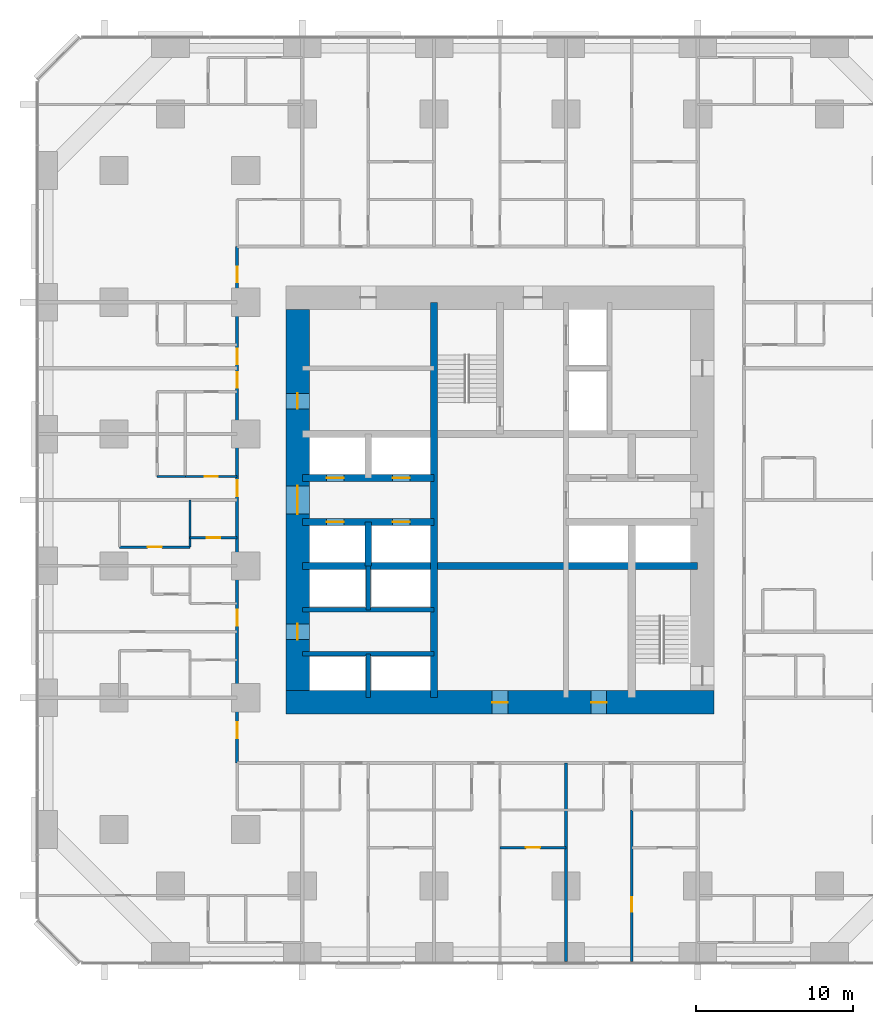
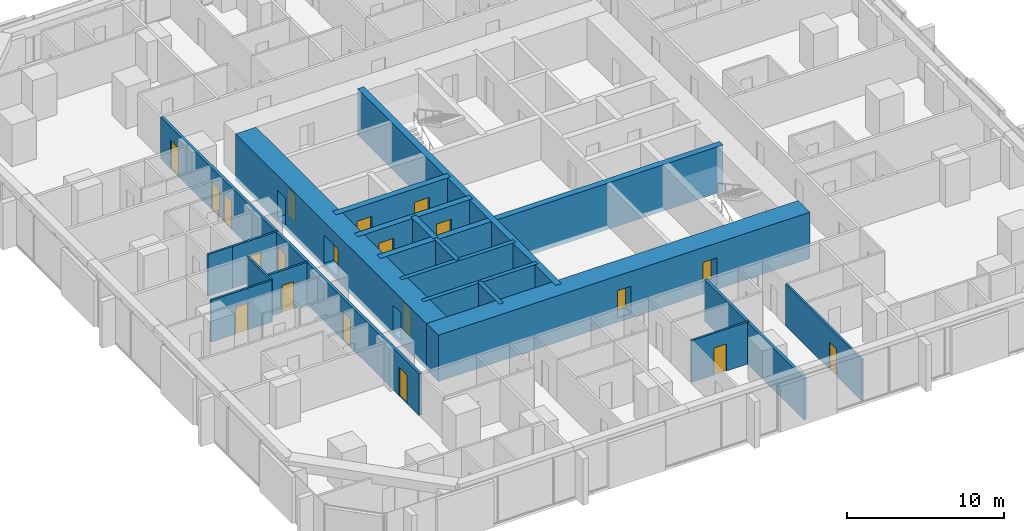
# One storey, part 12 of 17: 20 doors, 20 walls, 20 openings.
"""IFC4 building model written with IfcOpenShell, lengths in metres."""

from ifc_helpers import new_model, si_unit, direction, frame, frame_2d, origin, place, context, subcontext, project, spatial, rectangle, extrude, material, layer, layer_set, type_object, element, fill, save


model = new_model("IFC4")

# Units and contexts
model_context = context("Model", 3, precision=1e-05, world=origin(), true_north=direction((0.0, 1.0)))
body_context = subcontext(model_context, "Body", "Model", "MODEL_VIEW")
ifc_project = project(units=[si_unit("LENGTHUNIT", "METRE"), si_unit("AREAUNIT", "SQUARE_METRE"), si_unit("VOLUMEUNIT", "CUBIC_METRE"), si_unit("PLANEANGLEUNIT", "RADIAN"), si_unit("MASSUNIT", "GRAM", prefix="KILO")], contexts=[model_context])

# Site, building, storey
site_placement = place(None, origin())
site = spatial("IfcSite", under=ifc_project, at=site_placement, CompositionType="ELEMENT")
building_placement = place(site_placement, origin())
building = spatial("IfcBuilding", under=site, at=building_placement, Name="Dunama Terrace Hotel", CompositionType="ELEMENT")
storey_placement = place(building_placement, frame((0.0, 0.0, 52.199951171875)))
storey = spatial("IfcBuildingStorey", under=building, at=storey_placement, Name="L12", CompositionType="ELEMENT", Elevation=52.199951171875)

# Wall, opening, door
ifc_material_1 = material(Name="Gypsum board partition", Category="masonry")
ifc_layer_1 = layer(ifc_material_1, 0.14990234375)
ifc_layer_set_1 = layer_set([ifc_layer_1], Name="Bathroom partition 150")
wall_type_1 = type_object("IfcWallType", Name="Bathroom partition 150", PredefinedType="PARTITIONING", material=ifc_layer_set_1)
wall_1_placement = place(storey_placement, frame((9.64990234375, 27.0, 0.0), z_axis=(0.0, 0.0, 1.0), x_axis=(1.0, 0.0, 0.0)))
wall_1 = element("IfcWall", 1, at=wall_1_placement, inside=storey, type_object=wall_type_1, Name="Bathroom partition 150 L12", PredefinedType="PARTITIONING", context=body_context, shape_type="SweptSolid", body=[
    extrude(rectangle(XDim=3.0, YDim=0.14990234375, at=frame_2d((1.5, 0.0))), origin(), (0.0, 0.0, 1.0), 3.25),
])
opening_1_placement = place(wall_1_placement, frame((1.074951171875, 0.0, 0.0)))
opening_1 = element("IfcOpeningElement", 2, at=opening_1_placement, cuts=wall_1, Name="Opening L12-053", PredefinedType="OPENING", context=body_context, shape_type="SweptSolid", body=[
    extrude(rectangle(XDim=0.85009765625, YDim=2.10009765625, at=frame_2d((0.425048828125, 1.050048828125))), frame((0.0, 0.0849609375, 0.0), z_axis=(0.0, -1.0, 0.0), x_axis=(1.0, 0.0, 0.0)), (0.0, 0.0, 1.0), 0.169921875),
])
ifc_material_2 = material(Name="Timber door with steel frame", Category="steel")
door_type_1 = type_object("IfcDoorType", Name="Bathroom door 850", OperationType="SINGLE_SWING_LEFT", PredefinedType="DOOR", material=ifc_material_2)
door_1_placement = place(opening_1_placement, origin())
door_1 = element("IfcDoor", 3, at=door_1_placement, inside=storey, type_object=door_type_1, Name="Door to en-suite bathroom L12-053, type D2", OperationType="SINGLE_SWING_RIGHT", OverallHeight=2.10009765625, OverallWidth=0.85009765625, PredefinedType="DOOR", context=body_context, shape_type="SweptSolid", body=[
    extrude(rectangle(XDim=0.85009765625, YDim=2.10009765625, at=frame_2d((0.425048828125, 1.050048828125))), frame((0.0, 0.02490234375, 0.0), z_axis=(0.0, -1.0, 0.0), x_axis=(1.0, 0.0, 0.0)), (0.0, 0.0, 1.0), 0.050048828125),
])
fill(opening_1, door_1)

wall_2_placement = place(storey_placement, frame((9.35009765625, 30.89990234375, 0.0), z_axis=(0.0, 0.0, 1.0), x_axis=(1.0, 0.0, 0.0)))
wall_2 = element("IfcWall", 4, at=wall_2_placement, inside=storey, type_object=wall_type_1, Name="Bathroom partition 150 L12", PredefinedType="PARTITIONING", context=body_context, shape_type="SweptSolid", body=[
    extrude(rectangle(XDim=3.2998046875, YDim=0.14990234375, at=frame_2d((1.64990234375, 0.0))), origin(), (0.0, 0.0, 1.0), 3.25),
])
opening_2_placement = place(wall_2_placement, frame((1.22509765625, 0.0, 0.0)))
opening_2 = element("IfcOpeningElement", 5, at=opening_2_placement, cuts=wall_2, Name="Opening L12-059", PredefinedType="OPENING", context=body_context, shape_type="SweptSolid", body=[
    extrude(rectangle(XDim=0.85009765625, YDim=2.10009765625, at=frame_2d((0.425048828125, 1.050048828125))), frame((0.0, 0.0849609375, 0.0), z_axis=(0.0, -1.0, 0.0), x_axis=(1.0, 0.0, 0.0)), (0.0, 0.0, 1.0), 0.169921875),
])
door_2_placement = place(opening_2_placement, origin())
door_2 = element("IfcDoor", 6, at=door_2_placement, inside=storey, type_object=door_type_1, Name="Door to en-suite bathroom L12-059, type D2", OperationType="SINGLE_SWING_RIGHT", OverallHeight=2.10009765625, OverallWidth=0.85009765625, PredefinedType="DOOR", context=body_context, shape_type="SweptSolid", body=[
    extrude(rectangle(XDim=0.85009765625, YDim=2.10009765625, at=frame_2d((0.425048828125, 1.050048828125))), frame((0.0, 0.02490234375, 0.0), z_axis=(0.0, -1.0, 0.0), x_axis=(1.0, 0.0, 0.0)), (0.0, 0.0, 1.0), 0.050048828125),
])
fill(opening_2, door_2)

# Walls
ifc_material_3 = material(Name="Concrete C50/60", Category="concrete")
ifc_layer_2 = layer(ifc_material_3, 0.300048828125)
ifc_layer_set_2 = layer_set([ifc_layer_2], Name="Core inner wall 300")
wall_type_2 = type_object("IfcWallType", Name="Core inner wall 300", PredefinedType="SHEAR", material=ifc_layer_set_2)
for number, where, z_axis, x_axis, name in (
    (7, (21.0, 16.800048828125, -0.349853515625), (0.0, 0.0, 1.0), (0.0, 1.0, 0.0), "Core inner wall 300 L12"),
    (8, (21.0, 22.39990234375, -0.349853515625), (0.0, 0.0, 1.0), (0.0, 1.0, 0.0), "Core inner wall 300 L12"),
):
    element("IfcWall", number, at=place(storey_placement, frame(where, z_axis=z_axis, x_axis=x_axis)), inside=storey, type_object=wall_type_2, Name=name, PredefinedType="SHEAR", context=body_context, shape_type="SweptSolid", body=[
        extrude(rectangle(XDim=2.800048828125, YDim=0.300048828125, at=frame_2d((1.39990234375, 0.0))), origin(), (0.0, 0.0, 1.0), 3.599853515625),
    ])
for number, where, z_axis, x_axis, name in (
    (9, (16.800048828125, 19.60009765625, -0.349853515625), (0.0, 0.0, 1.0), (1.0, 0.0, 0.0), "Core inner wall 300 L12"),
    (10, (16.800048828125, 22.39990234375, -0.349853515625), (0.0, 0.0, 1.0), (1.0, 0.0, 0.0), "Core inner wall 300 L12"),
):
    element("IfcWall", number, at=place(storey_placement, frame(where, z_axis=z_axis, x_axis=x_axis)), inside=storey, type_object=wall_type_2, Name=name, PredefinedType="SHEAR", context=body_context, shape_type="SweptSolid", body=[
        extrude(rectangle(XDim=8.39990234375, YDim=0.300048828125, at=frame_2d((4.199951171875, 0.0))), origin(), (0.0, 0.0, 1.0), 3.599853515625),
    ])
ifc_material_4 = material(Name="Concrete C50/60", Category="concrete")
ifc_layer_3 = layer(ifc_material_4, 0.39990234375)
ifc_layer_set_3 = layer_set([ifc_layer_3], Name="Core inner wall 400")
wall_type_3 = type_object("IfcWallType", Name="Core inner wall 400", PredefinedType="SHEAR", material=ifc_layer_set_3)
wall_3_placement = place(storey_placement, frame((21.0, 25.199951171875, -0.349853515625), z_axis=(0.0, 0.0, 1.0), x_axis=(0.0, 1.0, 0.0)))
element("IfcWall", 11, at=wall_3_placement, inside=storey, type_object=wall_type_3, Name="Core inner wall 400 L12", PredefinedType="SHEAR", context=body_context, shape_type="SweptSolid", body=[
    extrude(rectangle(XDim=2.800048828125, YDim=0.39990234375, at=frame_2d((1.39990234375, 0.0))), origin(), (0.0, 0.0, 1.0), 3.599853515625),
])
ifc_material_5 = material(Name="Concrete C50/60", Category="concrete")
ifc_layer_4 = layer(ifc_material_5, 0.449951171875)
ifc_layer_set_4 = layer_set([ifc_layer_4], Name="Core inner wall 450")
wall_type_4 = type_object("IfcWallType", Name="Core inner wall 450", PredefinedType="SHEAR", material=ifc_layer_set_4)
for number, where, z_axis, x_axis, name in (
    (12, (25.199951171875, 16.800048828125, -0.349853515625), (0.0, 0.0, 1.0), (0.0, 1.0, 0.0), "Core inner wall 450 L12"),
    (13, (16.800048828125, 25.199951171875, -0.349853515625), (0.0, 0.0, 1.0), (1.0, 0.0, 0.0), "Core inner wall 450 L12"),
):
    element("IfcWall", number, at=place(storey_placement, frame(where, z_axis=z_axis, x_axis=x_axis)), inside=storey, type_object=wall_type_4, Name=name, PredefinedType="SHEAR", context=body_context, shape_type="SweptSolid", body=[
        extrude(rectangle(XDim=25.199951171875, YDim=0.449951171875, at=frame_2d((12.60009765625, 0.0))), origin(), (0.0, 0.0, 1.0), 3.599853515625),
    ])

# Wall, openings, doors
wall_4_placement = place(storey_placement, frame((16.800048828125, 28.0, -0.349853515625), z_axis=(0.0, 0.0, 1.0), x_axis=(1.0, 0.0, 0.0)))
wall_4 = element("IfcWall", 14, at=wall_4_placement, inside=storey, type_object=wall_type_4, Name="Core inner wall 450 L12", PredefinedType="SHEAR", context=body_context, shape_type="SweptSolid", body=[
    extrude(rectangle(XDim=8.39990234375, YDim=0.449951171875, at=frame_2d((4.199951171875, 0.0))), origin(), (0.0, 0.0, 1.0), 3.599853515625),
])
opening_3_placement = place(wall_4_placement, frame((1.550048828125, 0.0, 0.35009765625)))
opening_3 = element("IfcOpeningElement", 15, at=opening_3_placement, cuts=wall_4, Name="Opening L12-003", PredefinedType="OPENING", context=body_context, shape_type="SweptSolid", body=[
    extrude(rectangle(XDim=1.10009765625, YDim=2.199951171875, at=frame_2d((0.550048828125, 1.10009765625))), frame((0.0, 0.23486328125, 0.0), z_axis=(0.0, -1.0, 0.0), x_axis=(1.0, 0.0, 0.0)), (0.0, 0.0, 1.0), 0.469970703125),
])
opening_4_placement = place(wall_4_placement, frame((5.75, 0.0, 0.35009765625)))
opening_4 = element("IfcOpeningElement", 16, at=opening_4_placement, cuts=wall_4, Name="Opening L12-004", PredefinedType="OPENING", context=body_context, shape_type="SweptSolid", body=[
    extrude(rectangle(XDim=1.10009765625, YDim=2.199951171875, at=frame_2d((0.550048828125, 1.10009765625))), frame((0.0, 0.23486328125, 0.0), z_axis=(0.0, -1.0, 0.0), x_axis=(1.0, 0.0, 0.0)), (0.0, 0.0, 1.0), 0.469970703125),
])
ifc_material_6 = material(Name="Stainless steel lift door", Category="steel")
door_type_2 = type_object("IfcDoorType", Name="Lift landing door 1100", OperationType="DOUBLE_DOOR_SLIDING", PredefinedType="DOOR", material=ifc_material_6)
door_3_placement = place(opening_3_placement, origin())
door_3 = element("IfcDoor", 17, at=door_3_placement, inside=storey, type_object=door_type_2, Name="Landing door PA1 L12-003, type LD1", OperationType="DOUBLE_DOOR_SLIDING", OverallHeight=2.199951171875, OverallWidth=1.10009765625, PredefinedType="DOOR", context=body_context, shape_type="SweptSolid", body=[
    extrude(rectangle(XDim=1.10009765625, YDim=2.199951171875, at=frame_2d((0.550048828125, 1.10009765625))), frame((0.0, 0.02490234375, 0.0), z_axis=(0.0, -1.0, 0.0), x_axis=(1.0, 0.0, 0.0)), (0.0, 0.0, 1.0), 0.050048828125),
])
fill(opening_3, door_3)
door_4_placement = place(opening_4_placement, origin())
door_4 = element("IfcDoor", 18, at=door_4_placement, inside=storey, type_object=door_type_2, Name="Landing door PA2 L12-004, type LD1", OperationType="DOUBLE_DOOR_SLIDING", OverallHeight=2.199951171875, OverallWidth=1.10009765625, PredefinedType="DOOR", context=body_context, shape_type="SweptSolid", body=[
    extrude(rectangle(XDim=1.10009765625, YDim=2.199951171875, at=frame_2d((0.550048828125, 1.10009765625))), frame((0.0, 0.02490234375, 0.0), z_axis=(0.0, -1.0, 0.0), x_axis=(1.0, 0.0, 0.0)), (0.0, 0.0, 1.0), 0.050048828125),
])
fill(opening_4, door_4)

wall_5_placement = place(storey_placement, frame((16.800048828125, 30.800048828125, -0.349853515625), z_axis=(0.0, 0.0, 1.0), x_axis=(1.0, 0.0, 0.0)))
wall_5 = element("IfcWall", 19, at=wall_5_placement, inside=storey, type_object=wall_type_4, Name="Core inner wall 450 L12", PredefinedType="SHEAR", context=body_context, shape_type="SweptSolid", body=[
    extrude(rectangle(XDim=8.39990234375, YDim=0.449951171875, at=frame_2d((4.199951171875, 0.0))), origin(), (0.0, 0.0, 1.0), 3.599853515625),
])
opening_5_placement = place(wall_5_placement, frame((1.550048828125, 0.0, 0.35009765625)))
opening_5 = element("IfcOpeningElement", 20, at=opening_5_placement, cuts=wall_5, Name="Opening L12-005", PredefinedType="OPENING", context=body_context, shape_type="SweptSolid", body=[
    extrude(rectangle(XDim=1.10009765625, YDim=2.199951171875, at=frame_2d((0.550048828125, 1.10009765625))), frame((0.0, 0.23486328125, 0.0), z_axis=(0.0, -1.0, 0.0), x_axis=(1.0, 0.0, 0.0)), (0.0, 0.0, 1.0), 0.469970703125),
])
opening_6_placement = place(wall_5_placement, frame((5.75, 0.0, 0.35009765625)))
opening_6 = element("IfcOpeningElement", 21, at=opening_6_placement, cuts=wall_5, Name="Opening L12-006", PredefinedType="OPENING", context=body_context, shape_type="SweptSolid", body=[
    extrude(rectangle(XDim=1.10009765625, YDim=2.199951171875, at=frame_2d((0.550048828125, 1.10009765625))), frame((0.0, 0.23486328125, 0.0), z_axis=(0.0, -1.0, 0.0), x_axis=(1.0, 0.0, 0.0)), (0.0, 0.0, 1.0), 0.469970703125),
])
door_5_placement = place(opening_5_placement, origin())
door_5 = element("IfcDoor", 22, at=door_5_placement, inside=storey, type_object=door_type_2, Name="Landing door PA3 L12-005, type LD1", OperationType="DOUBLE_DOOR_SLIDING", OverallHeight=2.199951171875, OverallWidth=1.10009765625, PredefinedType="DOOR", context=body_context, shape_type="SweptSolid", body=[
    extrude(rectangle(XDim=1.10009765625, YDim=2.199951171875, at=frame_2d((0.550048828125, 1.10009765625))), frame((0.0, 0.02490234375, 0.0), z_axis=(0.0, -1.0, 0.0), x_axis=(1.0, 0.0, 0.0)), (0.0, 0.0, 1.0), 0.050048828125),
])
fill(opening_5, door_5)
door_6_placement = place(opening_6_placement, origin())
door_6 = element("IfcDoor", 23, at=door_6_placement, inside=storey, type_object=door_type_2, Name="Landing door PA4 L12-006, type LD1", OperationType="DOUBLE_DOOR_SLIDING", OverallHeight=2.199951171875, OverallWidth=1.10009765625, PredefinedType="DOOR", context=body_context, shape_type="SweptSolid", body=[
    extrude(rectangle(XDim=1.10009765625, YDim=2.199951171875, at=frame_2d((0.550048828125, 1.10009765625))), frame((0.0, 0.02490234375, 0.0), z_axis=(0.0, -1.0, 0.0), x_axis=(1.0, 0.0, 0.0)), (0.0, 0.0, 1.0), 0.050048828125),
])
fill(opening_6, door_6)

ifc_material_7 = material(Name="Concrete C60/75", Category="concrete")
ifc_layer_5 = layer(ifc_material_7, 1.5)
ifc_layer_set_5 = layer_set([ifc_layer_5], Name="Core wall 1500")
wall_type_5 = type_object("IfcWallType", Name="Core wall 1500", PredefinedType="SHEAR", material=ifc_layer_set_5)
wall_6_placement = place(storey_placement, frame((15.75, 16.5, -0.349853515625), z_axis=(0.0, 0.0, 1.0), x_axis=(1.0, 0.0, 0.0)))
wall_6 = element("IfcWall", 24, at=wall_6_placement, inside=storey, type_object=wall_type_5, Name="Core wall south L12", PredefinedType="SHEAR", context=body_context, shape_type="SweptSolid", body=[
    extrude(rectangle(XDim=27.300048828125, YDim=1.5, at=frame_2d((13.64990234375, 0.0))), origin(), (0.0, 0.0, 1.0), 3.599853515625),
])
opening_7_placement = place(wall_6_placement, frame((13.14990234375, 0.0, 0.35009765625)))
opening_7 = element("IfcOpeningElement", 25, at=opening_7_placement, cuts=wall_6, Name="Opening L12-097", PredefinedType="OPENING", context=body_context, shape_type="SweptSolid", body=[
    extrude(rectangle(XDim=1.0, YDim=2.10009765625, at=frame_2d((0.5, 1.050048828125))), frame((0.0, 0.760009765625, 0.0), z_axis=(0.0, -1.0, 0.0), x_axis=(1.0, 0.0, 0.0)), (0.0, 0.0, 1.0), 1.52001953125),
])
opening_8_placement = place(wall_6_placement, frame((19.449951171875, 0.0, 0.35009765625)))
opening_8 = element("IfcOpeningElement", 26, at=opening_8_placement, cuts=wall_6, Name="Opening L12-098", PredefinedType="OPENING", context=body_context, shape_type="SweptSolid", body=[
    extrude(rectangle(XDim=1.0, YDim=2.10009765625, at=frame_2d((0.5, 1.050048828125))), frame((0.0, 0.760009765625, 0.0), z_axis=(0.0, -1.0, 0.0), x_axis=(1.0, 0.0, 0.0)), (0.0, 0.0, 1.0), 1.52001953125),
])
ifc_material_8 = material(Name="Timber door with steel frame", Category="steel")
door_type_3 = type_object("IfcDoorType", Name="Service door 1000", OperationType="SINGLE_SWING_LEFT", PredefinedType="DOOR", material=ifc_material_8)
door_7_placement = place(opening_7_placement, origin())
door_7 = element("IfcDoor", 27, at=door_7_placement, inside=storey, type_object=door_type_3, Name="Door to corridor air handling room L12-097, type D7", OperationType="SINGLE_SWING_LEFT", OverallHeight=2.10009765625, OverallWidth=1.0, PredefinedType="DOOR", context=body_context, shape_type="SweptSolid", body=[
    extrude(rectangle(XDim=1.0, YDim=2.10009765625, at=frame_2d((0.5, 1.050048828125))), frame((0.0, 0.02490234375, 0.0), z_axis=(0.0, -1.0, 0.0), x_axis=(1.0, 0.0, 0.0)), (0.0, 0.0, 1.0), 0.050048828125),
])
fill(opening_7, door_7)
door_8_placement = place(opening_8_placement, origin())
door_8 = element("IfcDoor", 28, at=door_8_placement, inside=storey, type_object=door_type_3, Name="Door to water riser room L12-098, type D7", OperationType="SINGLE_SWING_RIGHT", OverallHeight=2.10009765625, OverallWidth=1.0, PredefinedType="DOOR", context=body_context, shape_type="SweptSolid", body=[
    extrude(rectangle(XDim=1.0, YDim=2.10009765625, at=frame_2d((0.5, 1.050048828125))), frame((0.0, 0.02490234375, 0.0), z_axis=(0.0, -1.0, 0.0), x_axis=(1.0, 0.0, 0.0)), (0.0, 0.0, 1.0), 0.050048828125),
])
fill(opening_8, door_8)

wall_7_placement = place(storey_placement, frame((16.5, 41.550048828125, -0.349853515625), z_axis=(0.0, 0.0, 1.0), x_axis=(0.0, -1.0, 0.0)))
wall_7 = element("IfcWall", 29, at=wall_7_placement, inside=storey, type_object=wall_type_5, Name="Core wall west L12", PredefinedType="SHEAR", context=body_context, shape_type="SweptSolid", body=[
    extrude(rectangle(XDim=24.300048828125, YDim=1.5, at=frame_2d((12.14990234375, 0.0))), origin(), (0.0, 0.0, 1.0), 3.599853515625),
])
opening_9_placement = place(wall_7_placement, frame((11.25, 0.0, 0.35009765625)))
opening_9 = element("IfcOpeningElement", 30, at=opening_9_placement, cuts=wall_7, Name="Opening L12-087", PredefinedType="OPENING", context=body_context, shape_type="SweptSolid", body=[
    extrude(rectangle(XDim=1.800048828125, YDim=2.199951171875, at=frame_2d((0.89990234375, 1.10009765625))), frame((0.0, 0.760009765625, 0.0), z_axis=(0.0, -1.0, 0.0), x_axis=(1.0, 0.0, 0.0)), (0.0, 0.0, 1.0), 1.52001953125),
])
opening_10_placement = place(wall_7_placement, frame((20.050048828125, 0.0, 0.35009765625)))
opening_10 = element("IfcOpeningElement", 31, at=opening_10_placement, cuts=wall_7, Name="Opening L12-088", PredefinedType="OPENING", context=body_context, shape_type="SweptSolid", body=[
    extrude(rectangle(XDim=1.0, YDim=2.10009765625, at=frame_2d((0.5, 1.050048828125))), frame((0.0, 0.760009765625, 0.0), z_axis=(0.0, -1.0, 0.0), x_axis=(1.0, 0.0, 0.0)), (0.0, 0.0, 1.0), 1.52001953125),
])
opening_11_placement = place(wall_7_placement, frame((5.35009765625, 0.0, 0.35009765625)))
opening_11 = element("IfcOpeningElement", 32, at=opening_11_placement, cuts=wall_7, Name="Opening L12-089", PredefinedType="OPENING", context=body_context, shape_type="SweptSolid", body=[
    extrude(rectangle(XDim=1.0, YDim=2.10009765625, at=frame_2d((0.5, 1.050048828125))), frame((0.0, 0.760009765625, 0.0), z_axis=(0.0, -1.0, 0.0), x_axis=(1.0, 0.0, 0.0)), (0.0, 0.0, 1.0), 1.52001953125),
])
ifc_material_9 = material(Name="Timber door with steel frame", Category="steel")
door_type_4 = type_object("IfcDoorType", Name="Lift lobby double door 1800", OperationType="DOUBLE_DOOR_DOUBLE_SWING", PredefinedType="DOOR", material=ifc_material_9)
door_9_placement = place(opening_9_placement, origin())
door_9 = element("IfcDoor", 33, at=door_9_placement, inside=storey, type_object=door_type_4, Name="Door to lift lobby L12-087, type D3", OperationType="DOUBLE_DOOR_DOUBLE_SWING", OverallHeight=2.199951171875, OverallWidth=1.800048828125, PredefinedType="DOOR", context=body_context, shape_type="SweptSolid", body=[
    extrude(rectangle(XDim=1.800048828125, YDim=2.199951171875, at=frame_2d((0.89990234375, 1.10009765625))), frame((0.0, 0.02490234375, 0.0), z_axis=(0.0, -1.0, 0.0), x_axis=(1.0, 0.0, 0.0)), (0.0, 0.0, 1.0), 0.050048828125),
])
fill(opening_9, door_9)
door_10_placement = place(opening_10_placement, origin())
door_10 = element("IfcDoor", 34, at=door_10_placement, inside=storey, type_object=door_type_3, Name="Door to service lobby L12-088, type D7", OperationType="SINGLE_SWING_RIGHT", OverallHeight=2.10009765625, OverallWidth=1.0, PredefinedType="DOOR", context=body_context, shape_type="SweptSolid", body=[
    extrude(rectangle(XDim=1.0, YDim=2.10009765625, at=frame_2d((0.5, 1.050048828125))), frame((0.0, 0.02490234375, 0.0), z_axis=(0.0, -1.0, 0.0), x_axis=(1.0, 0.0, 0.0)), (0.0, 0.0, 1.0), 0.050048828125),
])
fill(opening_10, door_10)
door_11_placement = place(opening_11_placement, origin())
door_11 = element("IfcDoor", 35, at=door_11_placement, inside=storey, type_object=door_type_3, Name="Door to electrical room L12-089, type D7", OperationType="SINGLE_SWING_RIGHT", OverallHeight=2.10009765625, OverallWidth=1.0, PredefinedType="DOOR", context=body_context, shape_type="SweptSolid", body=[
    extrude(rectangle(XDim=1.0, YDim=2.10009765625, at=frame_2d((0.5, 1.050048828125))), frame((0.0, 0.02490234375, 0.0), z_axis=(0.0, -1.0, 0.0), x_axis=(1.0, 0.0, 0.0)), (0.0, 0.0, 1.0), 0.050048828125),
])
fill(opening_11, door_11)

ifc_material_10 = material(Name="Concrete blockwork", Category="masonry")
ifc_layer_6 = layer(ifc_material_10, 0.199951171875)
ifc_layer_set_6 = layer_set([ifc_layer_6], Name="Corridor partition 200")
wall_type_6 = type_object("IfcWallType", Name="Corridor partition 200", PredefinedType="PARTITIONING", material=ifc_layer_set_6)
wall_8_placement = place(storey_placement, frame((12.64990234375, 12.64990234375, 0.0), z_axis=(0.0, 0.0, 1.0), x_axis=(0.0, 1.0, 0.0)))
wall_8 = element("IfcWall", 36, at=wall_8_placement, inside=storey, type_object=wall_type_6, Name="Corridor partition 200 L12", PredefinedType="PARTITIONING", context=body_context, shape_type="SweptSolid", body=[
    extrude(rectangle(XDim=32.900146484375, YDim=0.199951171875, at=frame_2d((16.4501953125, 0.0))), origin(), (0.0, 0.0, 1.0), 3.25),
])
opening_12_placement = place(wall_8_placement, frame((8.75, 0.0, 0.0)))
opening_12 = element("IfcOpeningElement", 37, at=opening_12_placement, cuts=wall_8, Name="Opening L12-049", PredefinedType="OPENING", context=body_context, shape_type="SweptSolid", body=[
    extrude(rectangle(XDim=1.0, YDim=2.199951171875, at=frame_2d((0.5, 1.10009765625))), frame((0.0, 0.10986328125, 0.0), z_axis=(0.0, -1.0, 0.0), x_axis=(1.0, 0.0, 0.0)), (0.0, 0.0, 1.0), 0.219970703125),
])
opening_13_placement = place(wall_8_placement, frame((17.0, 0.0, 0.0)))
opening_13 = element("IfcOpeningElement", 38, at=opening_13_placement, cuts=wall_8, Name="Opening L12-058", PredefinedType="OPENING", context=body_context, shape_type="SweptSolid", body=[
    extrude(rectangle(XDim=1.0, YDim=2.199951171875, at=frame_2d((0.5, 1.10009765625))), frame((0.0, 0.10986328125, 0.0), z_axis=(0.0, -1.0, 0.0), x_axis=(1.0, 0.0, 0.0)), (0.0, 0.0, 1.0), 0.219970703125),
])
opening_14_placement = place(wall_8_placement, frame((23.89990234375, 0.0, 0.0)))
opening_14 = element("IfcOpeningElement", 39, at=opening_14_placement, cuts=wall_8, Name="Opening L12-061", PredefinedType="OPENING", context=body_context, shape_type="SweptSolid", body=[
    extrude(rectangle(XDim=1.0, YDim=2.199951171875, at=frame_2d((0.5, 1.10009765625))), frame((0.0, 0.10986328125, 0.0), z_axis=(0.0, -1.0, 0.0), x_axis=(1.0, 0.0, 0.0)), (0.0, 0.0, 1.0), 0.219970703125),
])
opening_15_placement = place(wall_8_placement, frame((25.39990234375, 0.0, 0.0)))
opening_15 = element("IfcOpeningElement", 40, at=opening_15_placement, cuts=wall_8, Name="Opening L12-064", PredefinedType="OPENING", context=body_context, shape_type="SweptSolid", body=[
    extrude(rectangle(XDim=1.0, YDim=2.199951171875, at=frame_2d((0.5, 1.10009765625))), frame((0.0, 0.10986328125, 0.0), z_axis=(0.0, -1.0, 0.0), x_axis=(1.0, 0.0, 0.0)), (0.0, 0.0, 1.0), 0.219970703125),
])
opening_16_placement = place(wall_8_placement, frame((1.574951171875, 0.0, 0.0)))
opening_16 = element("IfcOpeningElement", 41, at=opening_16_placement, cuts=wall_8, Name="Opening L12-067", PredefinedType="OPENING", context=body_context, shape_type="SweptSolid", body=[
    extrude(rectangle(XDim=1.0, YDim=2.199951171875, at=frame_2d((0.5, 1.10009765625))), frame((0.0, 0.10986328125, 0.0), z_axis=(0.0, -1.0, 0.0), x_axis=(1.0, 0.0, 0.0)), (0.0, 0.0, 1.0), 0.219970703125),
])
opening_17_placement = place(wall_8_placement, frame((30.625, 0.0, 0.0)))
opening_17 = element("IfcOpeningElement", 42, at=opening_17_placement, cuts=wall_8, Name="Opening L12-082", PredefinedType="OPENING", context=body_context, shape_type="SweptSolid", body=[
    extrude(rectangle(XDim=1.0, YDim=2.199951171875, at=frame_2d((0.5, 1.10009765625))), frame((0.0, 0.10986328125, 0.0), z_axis=(0.0, -1.0, 0.0), x_axis=(1.0, 0.0, 0.0)), (0.0, 0.0, 1.0), 0.219970703125),
])
ifc_material_11 = material(Name="Timber door with steel frame", Category="steel")
door_type_5 = type_object("IfcDoorType", Name="Guest room door 1000", OperationType="SINGLE_SWING_LEFT", PredefinedType="DOOR", material=ifc_material_11)
door_12_placement = place(opening_12_placement, origin())
door_12 = element("IfcDoor", 43, at=door_12_placement, inside=storey, type_object=door_type_5, Name="Door to two-bedroom residence living room L12-049, type D1", OperationType="SINGLE_SWING_LEFT", OverallHeight=2.199951171875, OverallWidth=1.0, PredefinedType="DOOR", context=body_context, shape_type="SweptSolid", body=[
    extrude(rectangle(XDim=1.0, YDim=2.199951171875, at=frame_2d((0.5, 1.10009765625))), frame((0.0, 0.02490234375, 0.0), z_axis=(0.0, -1.0, 0.0), x_axis=(1.0, 0.0, 0.0)), (0.0, 0.0, 1.0), 0.050048828125),
])
fill(opening_12, door_12)
door_13_placement = place(opening_13_placement, origin())
door_13 = element("IfcDoor", 44, at=door_13_placement, inside=storey, type_object=door_type_5, Name="Door to deluxe room L12-058, type D1", OperationType="SINGLE_SWING_LEFT", OverallHeight=2.199951171875, OverallWidth=1.0, PredefinedType="DOOR", context=body_context, shape_type="SweptSolid", body=[
    extrude(rectangle(XDim=1.0, YDim=2.199951171875, at=frame_2d((0.5, 1.10009765625))), frame((0.0, 0.02490234375, 0.0), z_axis=(0.0, -1.0, 0.0), x_axis=(1.0, 0.0, 0.0)), (0.0, 0.0, 1.0), 0.050048828125),
])
fill(opening_13, door_13)
door_14_placement = place(opening_14_placement, origin())
door_14 = element("IfcDoor", 45, at=door_14_placement, inside=storey, type_object=door_type_5, Name="Door to deluxe room L12-061, type D1", OperationType="SINGLE_SWING_RIGHT", OverallHeight=2.199951171875, OverallWidth=1.0, PredefinedType="DOOR", context=body_context, shape_type="SweptSolid", body=[
    extrude(rectangle(XDim=1.0, YDim=2.199951171875, at=frame_2d((0.5, 1.10009765625))), frame((0.0, 0.02490234375, 0.0), z_axis=(0.0, -1.0, 0.0), x_axis=(1.0, 0.0, 0.0)), (0.0, 0.0, 1.0), 0.050048828125),
])
fill(opening_14, door_14)
door_15_placement = place(opening_15_placement, origin())
door_15 = element("IfcDoor", 46, at=door_15_placement, inside=storey, type_object=door_type_5, Name="Door to deluxe room L12-064, type D1", OperationType="SINGLE_SWING_LEFT", OverallHeight=2.199951171875, OverallWidth=1.0, PredefinedType="DOOR", context=body_context, shape_type="SweptSolid", body=[
    extrude(rectangle(XDim=1.0, YDim=2.199951171875, at=frame_2d((0.5, 1.10009765625))), frame((0.0, 0.02490234375, 0.0), z_axis=(0.0, -1.0, 0.0), x_axis=(1.0, 0.0, 0.0)), (0.0, 0.0, 1.0), 0.050048828125),
])
fill(opening_15, door_15)
door_16_placement = place(opening_16_placement, origin())
door_16 = element("IfcDoor", 47, at=door_16_placement, inside=storey, type_object=door_type_5, Name="Door to corner suite living room L12-067, type D1", OperationType="SINGLE_SWING_RIGHT", OverallHeight=2.199951171875, OverallWidth=1.0, PredefinedType="DOOR", context=body_context, shape_type="SweptSolid", body=[
    extrude(rectangle(XDim=1.0, YDim=2.199951171875, at=frame_2d((0.5, 1.10009765625))), frame((0.0, 0.02490234375, 0.0), z_axis=(0.0, -1.0, 0.0), x_axis=(1.0, 0.0, 0.0)), (0.0, 0.0, 1.0), 0.050048828125),
])
fill(opening_16, door_16)
door_17_placement = place(opening_17_placement, origin())
door_17 = element("IfcDoor", 48, at=door_17_placement, inside=storey, type_object=door_type_5, Name="Door to corner suite living room L12-082, type D1", OperationType="SINGLE_SWING_LEFT", OverallHeight=2.199951171875, OverallWidth=1.0, PredefinedType="DOOR", context=body_context, shape_type="SweptSolid", body=[
    extrude(rectangle(XDim=1.0, YDim=2.199951171875, at=frame_2d((0.5, 1.10009765625))), frame((0.0, 0.02490234375, 0.0), z_axis=(0.0, -1.0, 0.0), x_axis=(1.0, 0.0, 0.0)), (0.0, 0.0, 1.0), 0.050048828125),
])
fill(opening_17, door_17)

# Walls
ifc_material_12 = material(Name="Concrete blockwork", Category="masonry")
ifc_layer_7 = layer(ifc_material_12, 0.199951171875)
ifc_layer_set_7 = layer_set([ifc_layer_7], Name="Party wall 200")
wall_type_7 = type_object("IfcWallType", Name="Party wall 200", PredefinedType="PARTITIONING", material=ifc_layer_set_7)
wall_9_placement = place(storey_placement, frame((33.60009765625, -0.008056640625, 0.0), z_axis=(0.0, 0.0, 1.0), x_axis=(0.0, 1.0, 0.0)))
element("IfcWall", 49, at=wall_9_placement, inside=storey, type_object=wall_type_7, Name="Party wall 200 L12", PredefinedType="PARTITIONING", context=body_context, shape_type="SweptSolid", body=[
    extrude(rectangle(XDim=12.657958984375, YDim=0.199951171875, at=frame_2d((6.3291015625, 0.0))), origin(), (0.0, 0.0, 1.0), 3.25),
])
ifc_material_13 = material(Name="Gypsum board partition", Category="masonry")
ifc_layer_8 = layer(ifc_material_13, 0.14990234375)
ifc_layer_set_8 = layer_set([ifc_layer_8], Name="Room partition 150")
wall_type_8 = type_object("IfcWallType", Name="Room partition 150", PredefinedType="PARTITIONING", material=ifc_layer_set_8)
wall_10_placement = place(storey_placement, frame((9.64990234375, 26.39990234375, 0.0), z_axis=(0.0, 0.0, 1.0), x_axis=(0.0, 1.0, 0.0)))
element("IfcWall", 50, at=wall_10_placement, inside=storey, type_object=wall_type_8, Name="Room partition 150 L12", PredefinedType="PARTITIONING", context=body_context, shape_type="SweptSolid", body=[
    extrude(rectangle(XDim=3.0, YDim=0.14990234375, at=frame_2d((1.5, 0.0))), origin(), (0.0, 0.0, 1.0), 3.25),
])

# Wall, opening, door
wall_11_placement = place(storey_placement, frame((37.800048828125, -0.008056640625, 0.0), z_axis=(0.0, 0.0, 1.0), x_axis=(0.0, 1.0, 0.0)))
wall_11 = element("IfcWall", 51, at=wall_11_placement, inside=storey, type_object=wall_type_8, Name="Room partition 150 L12", PredefinedType="PARTITIONING", context=body_context, shape_type="SweptSolid", body=[
    extrude(rectangle(XDim=9.657958984375, YDim=0.14990234375, at=frame_2d((4.8291015625, 0.0))), origin(), (0.0, 0.0, 1.0), 3.25),
])
opening_18_placement = place(wall_11_placement, frame((3.18310546875, 0.0, 0.0)))
opening_18 = element("IfcOpeningElement", 52, at=opening_18_placement, cuts=wall_11, Name="Opening L12-023", PredefinedType="OPENING", context=body_context, shape_type="SweptSolid", body=[
    extrude(rectangle(XDim=0.89990234375, YDim=2.10009765625, at=frame_2d((0.449951171875, 1.050048828125))), frame((0.0, 0.0849609375, 0.0), z_axis=(0.0, -1.0, 0.0), x_axis=(1.0, 0.0, 0.0)), (0.0, 0.0, 1.0), 0.169921875),
])
ifc_material_14 = material(Name="Timber door with steel frame", Category="steel")
door_type_6 = type_object("IfcDoorType", Name="Suite internal door 900", OperationType="SINGLE_SWING_LEFT", PredefinedType="DOOR", material=ifc_material_14)
door_18_placement = place(opening_18_placement, frame((0.89990234375, 0.0, 0.0), z_axis=(0.0, 0.0, 1.0), x_axis=(-1.0, 0.0, 0.0)))
door_18 = element("IfcDoor", 53, at=door_18_placement, inside=storey, type_object=door_type_6, Name="Door to residence bedroom L12-023, type D16", OperationType="SINGLE_SWING_LEFT", OverallHeight=2.10009765625, OverallWidth=0.89990234375, PredefinedType="DOOR", context=body_context, shape_type="SweptSolid", body=[
    extrude(rectangle(XDim=0.89990234375, YDim=2.10009765625, at=frame_2d((0.449951171875, 1.050048828125))), frame((0.0, 0.025146484375, 0.0), z_axis=(0.0, -1.0, 0.0), x_axis=(1.0, 0.0, 0.0)), (0.0, 0.0, 1.0), 0.050048828125),
])
fill(opening_18, door_18)

wall_12_placement = place(storey_placement, frame((29.39990234375, 7.25, 0.0), z_axis=(0.0, 0.0, 1.0), x_axis=(1.0, 0.0, 0.0)))
wall_12 = element("IfcWall", 54, at=wall_12_placement, inside=storey, type_object=wall_type_8, Name="Room partition 150 L12", PredefinedType="PARTITIONING", context=body_context, shape_type="SweptSolid", body=[
    extrude(rectangle(XDim=4.2001953125, YDim=0.14990234375, at=frame_2d((2.10009765625, 0.0))), origin(), (0.0, 0.0, 1.0), 3.25),
])
opening_19_placement = place(wall_12_placement, frame((1.64990234375, 0.0, 0.0)))
opening_19 = element("IfcOpeningElement", 55, at=opening_19_placement, cuts=wall_12, Name="Opening L12-017", PredefinedType="OPENING", context=body_context, shape_type="SweptSolid", body=[
    extrude(rectangle(XDim=0.89990234375, YDim=2.10009765625, at=frame_2d((0.449951171875, 1.050048828125))), frame((0.0, 0.0849609375, 0.0), z_axis=(0.0, -1.0, 0.0), x_axis=(1.0, 0.0, 0.0)), (0.0, 0.0, 1.0), 0.169921875),
])
door_19_placement = place(opening_19_placement, origin())
door_19 = element("IfcDoor", 56, at=door_19_placement, inside=storey, type_object=door_type_6, Name="Door to walk-in wardrobe L12-017, type D16", OperationType="SINGLE_SWING_LEFT", OverallHeight=2.10009765625, OverallWidth=0.89990234375, PredefinedType="DOOR", context=body_context, shape_type="SweptSolid", body=[
    extrude(rectangle(XDim=0.89990234375, YDim=2.10009765625, at=frame_2d((0.449951171875, 1.050048828125))), frame((0.0, 0.02490234375, 0.0), z_axis=(0.0, -1.0, 0.0), x_axis=(1.0, 0.0, 0.0)), (0.0, 0.0, 1.0), 0.050048828125),
])
fill(opening_19, door_19)

wall_13_placement = place(storey_placement, frame((5.14990234375, 26.39990234375, 0.0), z_axis=(0.0, 0.0, 1.0), x_axis=(1.0, 0.0, 0.0)))
wall_13 = element("IfcWall", 57, at=wall_13_placement, inside=storey, type_object=wall_type_8, Name="Room partition 150 L12", PredefinedType="PARTITIONING", context=body_context, shape_type="SweptSolid", body=[
    extrude(rectangle(XDim=4.5, YDim=0.14990234375, at=frame_2d((2.25, 0.0))), origin(), (0.0, 0.0, 1.0), 3.25),
])
opening_20_placement = place(wall_13_placement, frame((1.800048828125, 0.0, 0.0)))
opening_20 = element("IfcOpeningElement", 58, at=opening_20_placement, cuts=wall_13, Name="Opening L12-054", PredefinedType="OPENING", context=body_context, shape_type="SweptSolid", body=[
    extrude(rectangle(XDim=0.89990234375, YDim=2.10009765625, at=frame_2d((0.449951171875, 1.050048828125))), frame((0.0, 0.0849609375, 0.0), z_axis=(0.0, -1.0, 0.0), x_axis=(1.0, 0.0, 0.0)), (0.0, 0.0, 1.0), 0.169921875),
])
door_20_placement = place(opening_20_placement, origin())
door_20 = element("IfcDoor", 59, at=door_20_placement, inside=storey, type_object=door_type_6, Name="Door to walk-in wardrobe L12-054, type D16", OperationType="SINGLE_SWING_LEFT", OverallHeight=2.10009765625, OverallWidth=0.89990234375, PredefinedType="DOOR", context=body_context, shape_type="SweptSolid", body=[
    extrude(rectangle(XDim=0.89990234375, YDim=2.10009765625, at=frame_2d((0.449951171875, 1.050048828125))), frame((0.0, 0.02490234375, 0.0), z_axis=(0.0, -1.0, 0.0), x_axis=(1.0, 0.0, 0.0)), (0.0, 0.0, 1.0), 0.050048828125),
])
fill(opening_20, door_20)

# Wall
wall_14_placement = place(storey_placement, frame((7.550048828125, 30.89990234375, 0.0), z_axis=(0.0, 0.0, 1.0), x_axis=(1.0, 0.0, 0.0)))
element("IfcWall", 60, at=wall_14_placement, inside=storey, type_object=wall_type_8, Name="Room partition 150 L12", PredefinedType="PARTITIONING", context=body_context, shape_type="SweptSolid", body=[
    extrude(rectangle(XDim=1.800048828125, YDim=0.14990234375, at=frame_2d((0.89990234375, 0.0))), origin(), (0.0, 0.0, 1.0), 3.25),
])

save(model, "model.ifc")
